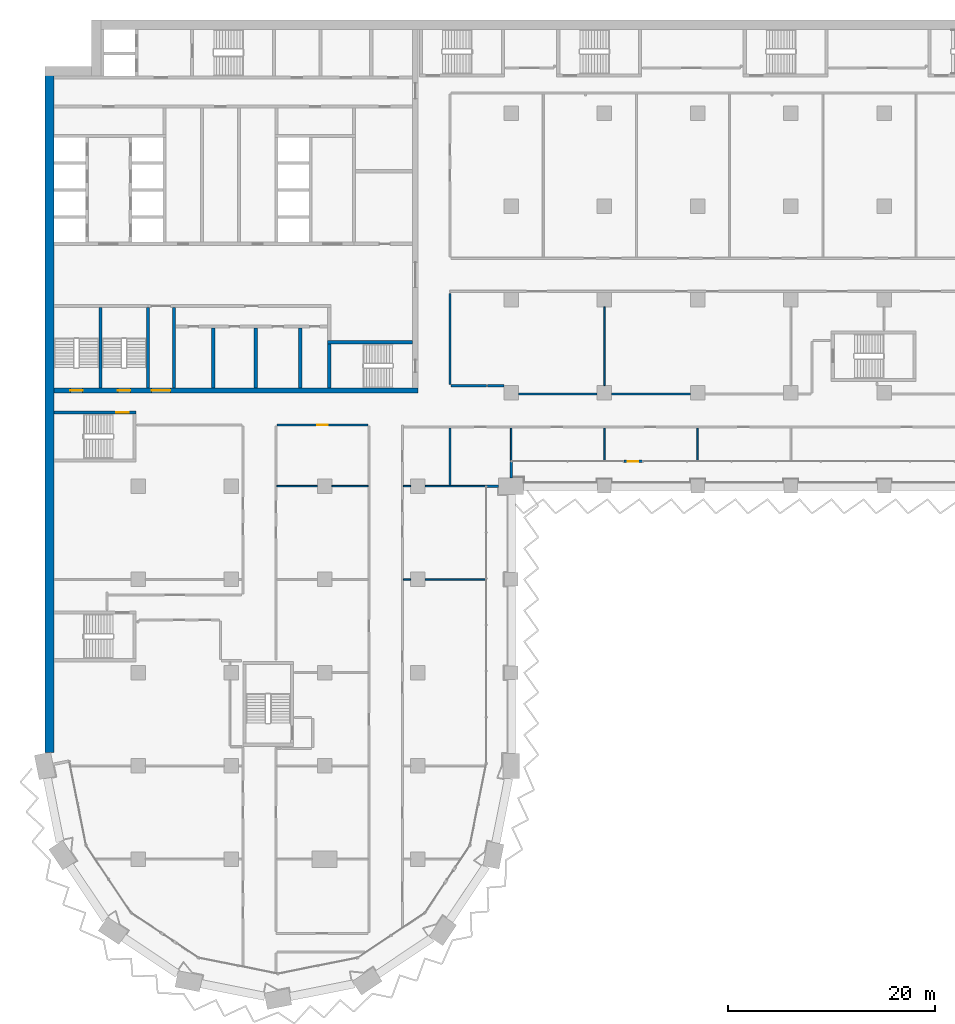
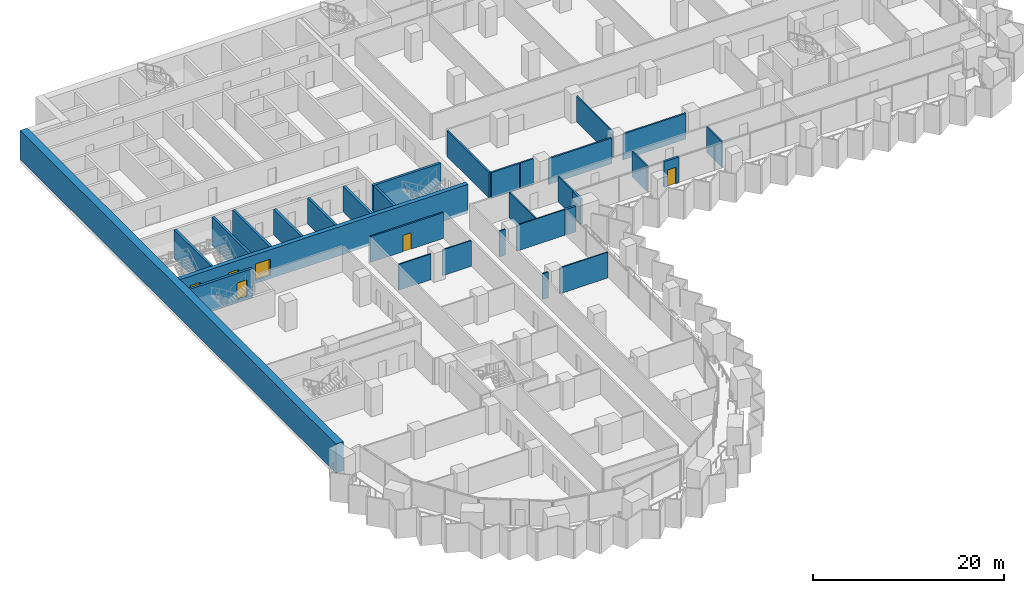
# One storey, part 12 of 29: 31 walls, 6 doors, 6 openings.
"""IFC4 building model written with IfcOpenShell, lengths in metres."""

from ifc_helpers import new_model, si_unit, direction, frame, frame_2d, origin, place, context, subcontext, project, spatial, rectangle, extrude, material, layer, layer_set, type_object, element, fill, save


model = new_model("IFC4")

# Units and contexts
model_context = context("Model", 3, precision=1e-05, world=origin(), true_north=direction((0.0, 1.0)))
body_context = subcontext(model_context, "Body", "Model", "MODEL_VIEW")
ifc_project = project(units=[si_unit("LENGTHUNIT", "METRE"), si_unit("AREAUNIT", "SQUARE_METRE"), si_unit("VOLUMEUNIT", "CUBIC_METRE"), si_unit("PLANEANGLEUNIT", "RADIAN"), si_unit("MASSUNIT", "GRAM", prefix="KILO")], contexts=[model_context])

# Site, building, storey
site_placement = place(None, origin())
site = spatial("IfcSite", under=ifc_project, at=site_placement, CompositionType="ELEMENT")
building_placement = place(site_placement, origin())
building = spatial("IfcBuilding", under=site, at=building_placement, Name="Hunhe Ridgeline Campus", CompositionType="ELEMENT")
storey_placement = place(building_placement, frame((0.0, 0.0, 50.60009765625)))
storey = spatial("IfcBuildingStorey", under=building, at=storey_placement, Name="L11", CompositionType="ELEMENT", Elevation=50.60009765625)

# Walls
ifc_material_1 = material(Name="Masonry concrete blockwork", Category="masonry")
ifc_layer_1 = layer(ifc_material_1, 0.300048828125)
ifc_layer_set_1 = layer_set([ifc_layer_1], Name="Core room partition 300 concrete block")
wall_type_1 = type_object("IfcWallType", Name="Core room partition 300 concrete block", PredefinedType="PARTITIONING", material=ifc_layer_set_1)
wall_1_placement = place(storey_placement, frame((12.449951171875, 63.5, 0.0), z_axis=(0.0, 0.0, 1.0), x_axis=(0.0, 1.0, 0.0)))
element("IfcWall", 1, at=wall_1_placement, inside=storey, type_object=wall_type_1, Name="L11 core partition 45", PredefinedType="PARTITIONING", context=body_context, shape_type="SweptSolid", body=[
    extrude(rectangle(XDim=7.75, YDim=0.300048828125, at=frame_2d((3.875, 0.0))), origin(), (0.0, 0.0, 1.0), 3.2998046875),
])
for number, where, z_axis, x_axis, name in (
    (2, (16.25, 63.5, 0.0), (0.0, 0.0, 1.0), (0.0, 1.0, 0.0), "L11 core partition 48"),
    (3, (20.35009765625, 63.5, 0.0), (0.0, 0.0, 1.0), (0.0, 1.0, 0.0), "L11 core partition 51"),
    (4, (24.64990234375, 63.5, 0.0), (0.0, 0.0, 1.0), (0.0, 1.0, 0.0), "L11 core partition 56"),
):
    element("IfcWall", number, at=place(storey_placement, frame(where, z_axis=z_axis, x_axis=x_axis)), inside=storey, type_object=wall_type_1, Name=name, PredefinedType="PARTITIONING", context=body_context, shape_type="SweptSolid", body=[
        extrude(rectangle(XDim=5.75, YDim=0.300048828125, at=frame_2d((2.875, 0.0))), origin(), (0.0, 0.0, 1.0), 3.2998046875),
    ])

# Wall, openings, doors
ifc_material_2 = material(Name="Concrete C80", Category="concrete")
ifc_layer_2 = layer(ifc_material_2, 0.5)
ifc_layer_set_2 = layer_set([ifc_layer_2], Name="Core wall 500 reinforced concrete C80")
wall_type_2 = type_object("IfcWallType", Name="Core wall 500 reinforced concrete C80", PredefinedType="SOLIDWALL", material=ifc_layer_set_2)
wall_2_placement = place(storey_placement, frame((0.89990234375, 63.25, -0.400146484375), z_axis=(0.0, 0.0, 1.0), x_axis=(1.0, 0.0, 0.0)))
wall_2 = element("IfcWall", 5, at=wall_2_placement, inside=storey, type_object=wall_type_2, Name="L11 core wall 7", PredefinedType="SOLIDWALL", context=body_context, shape_type="SweptSolid", body=[
    extrude(rectangle(XDim=35.10009765625, YDim=0.5, at=frame_2d((17.550048828125, 0.0))), origin(), (0.0, 0.0, 1.0), 3.699951171875),
])
opening_1_placement = place(wall_2_placement, frame((9.39990234375, 0.0, 0.39990234375)))
opening_1 = element("IfcOpeningElement", 6, at=opening_1_placement, cuts=wall_2, Name="Opening CD6", PredefinedType="OPENING", context=body_context, shape_type="SweptSolid", body=[
    extrude(rectangle(XDim=1.800048828125, YDim=2.10009765625, at=frame_2d((0.89990234375, 1.050048828125))), frame((0.0, 0.25, 0.0), z_axis=(0.0, -1.0, 0.0), x_axis=(1.0, 0.0, 0.0)), (0.0, 0.0, 1.0), 0.5),
])
opening_2_placement = place(wall_2_placement, frame((1.550048828125, 0.0, 0.39990234375)))
opening_2 = element("IfcOpeningElement", 7, at=opening_2_placement, cuts=wall_2, Name="Opening CD13", PredefinedType="OPENING", context=body_context, shape_type="SweptSolid", body=[
    extrude(rectangle(XDim=1.199951171875, YDim=2.10009765625, at=frame_2d((0.60009765625, 1.050048828125))), frame((0.0, 0.25, 0.0), z_axis=(0.0, -1.0, 0.0), x_axis=(1.0, 0.0, 0.0)), (0.0, 0.0, 1.0), 0.5),
])
opening_3_placement = place(wall_2_placement, frame((6.14990234375, 0.0, 0.39990234375)))
opening_3 = element("IfcOpeningElement", 8, at=opening_3_placement, cuts=wall_2, Name="Opening CD14", PredefinedType="OPENING", context=body_context, shape_type="SweptSolid", body=[
    extrude(rectangle(XDim=1.199951171875, YDim=2.10009765625, at=frame_2d((0.60009765625, 1.050048828125))), frame((0.0, 0.25, 0.0), z_axis=(0.0, -1.0, 0.0), x_axis=(1.0, 0.0, 0.0)), (0.0, 0.0, 1.0), 0.5),
])
ifc_material_3 = material(Name="Anodised aluminium and glass", Category="aluminium")
door_type_1 = type_object("IfcDoorType", Name="Glazed double door 1800x2100", OperationType="DOUBLE_DOOR_SINGLE_SWING", PredefinedType="DOOR", material=ifc_material_3)
door_1_placement = place(opening_1_placement, frame((1.800048828125, 0.0, 0.0), z_axis=(0.0, 0.0, 1.0), x_axis=(-1.0, 0.0, 0.0)))
door_1 = element("IfcDoor", 9, at=door_1_placement, inside=storey, type_object=door_type_1, Name="L11 door VEST-FLOOR", OperationType="DOUBLE_DOOR_SINGLE_SWING", OverallHeight=2.10009765625, OverallWidth=1.800048828125, PredefinedType="DOOR", context=body_context, shape_type="SweptSolid", body=[
    extrude(rectangle(XDim=1.800048828125, YDim=2.10009765625, at=frame_2d((0.89990234375, 1.050048828125))), frame((0.0, 0.02490234375, 0.0), z_axis=(0.0, -1.0, 0.0), x_axis=(1.0, 0.0, 0.0)), (0.0, 0.0, 1.0), 0.050048828125),
])
fill(opening_1, door_1)
ifc_material_4 = material(Name="Hollow metal fire door leaf")
door_type_2 = type_object("IfcDoorType", Name="Stair door 1200x2100 FD60", OperationType="SINGLE_SWING_LEFT", PredefinedType="DOOR", material=ifc_material_4)
door_2_placement = place(opening_2_placement, frame((1.199951171875, 0.0, 0.0), z_axis=(0.0, 0.0, 1.0), x_axis=(-1.0, 0.0, 0.0)))
door_2 = element("IfcDoor", 10, at=door_2_placement, inside=storey, type_object=door_type_2, Name="L11 door S3", OperationType="SINGLE_SWING_RIGHT", OverallHeight=2.10009765625, OverallWidth=1.199951171875, PredefinedType="DOOR", context=body_context, shape_type="SweptSolid", body=[
    extrude(rectangle(XDim=1.199951171875, YDim=2.10009765625, at=frame_2d((0.60009765625, 1.050048828125))), frame((0.0, 0.02490234375, 0.0), z_axis=(0.0, -1.0, 0.0), x_axis=(1.0, 0.0, 0.0)), (0.0, 0.0, 1.0), 0.050048828125),
])
fill(opening_2, door_2)
door_3_placement = place(opening_3_placement, frame((1.199951171875, 0.0, 0.0), z_axis=(0.0, 0.0, 1.0), x_axis=(-1.0, 0.0, 0.0)))
door_3 = element("IfcDoor", 11, at=door_3_placement, inside=storey, type_object=door_type_2, Name="L11 door S4", OperationType="SINGLE_SWING_LEFT", OverallHeight=2.10009765625, OverallWidth=1.199951171875, PredefinedType="DOOR", context=body_context, shape_type="SweptSolid", body=[
    extrude(rectangle(XDim=1.199951171875, YDim=2.10009765625, at=frame_2d((0.60009765625, 1.050048828125))), frame((0.0, 0.02490234375, 0.0), z_axis=(0.0, -1.0, 0.0), x_axis=(1.0, 0.0, 0.0)), (0.0, 0.0, 1.0), 0.050048828125),
])
fill(opening_3, door_3)

# Walls
ifc_material_5 = material(Name="Concrete C30", Category="concrete")
ifc_layer_3 = layer(ifc_material_5, 0.25)
ifc_layer_set_3 = layer_set([ifc_layer_3], Name="Corner return wall 250 Concrete C30")
wall_type_3 = type_object("IfcWallType", Name="Corner return wall 250 Concrete C30", PredefinedType="SOLIDWALL", material=ifc_layer_set_3)
wall_3_placement = place(storey_placement, frame((42.59912109375, 54.0, 0.0), z_axis=(0.0, 0.0, 1.0), x_axis=(0.999999917344, 0.000406586671, 0.0)))
element("IfcWall", 12, at=wall_3_placement, inside=storey, type_object=wall_type_3, Name="Corner return wall 2", PredefinedType="SOLIDWALL", context=body_context, shape_type="SweptSolid", body=[
    extrude(rectangle(XDim=1.200927734375, YDim=0.25, at=frame_2d((0.6005859375, 0.0))), origin(), (0.0, 0.0, 1.0), 3.2998046875),
])
wall_4_placement = place(storey_placement, frame((44.999267578125, 54.800048828125, 0.0), z_axis=(0.0, 0.0, 1.0), x_axis=(0.000152508767, 0.999999988371, 0.0)))
element("IfcWall", 13, at=wall_4_placement, inside=storey, type_object=wall_type_3, Name="Corner return wall 3", PredefinedType="SOLIDWALL", context=body_context, shape_type="SweptSolid", body=[
    extrude(rectangle(XDim=1.600830078125, YDim=0.25, at=frame_2d((0.80029296875, 0.0))), origin(), (0.0, 0.0, 1.0), 3.2998046875),
])

# Wall, opening, door
ifc_material_6 = material(Name="Gypsum board partition")
ifc_layer_4 = layer(ifc_material_6, 0.199951171875)
ifc_layer_set_4 = layer_set([ifc_layer_4], Name="Corridor partition 200 gypsum board on steel studs")
wall_type_4 = type_object("IfcWallType", Name="Corridor partition 200 gypsum board on steel studs", PredefinedType="PARTITIONING", material=ifc_layer_set_4)
wall_5_placement = place(storey_placement, frame((31.199951171875, 59.89990234375, 0.0), z_axis=(0.0, 0.0, 1.0), x_axis=(-1.0, 0.0, 0.0)))
wall_5 = element("IfcWall", 14, at=wall_5_placement, inside=storey, type_object=wall_type_4, Name="F-L11-wall-039", PredefinedType="PARTITIONING", context=body_context, shape_type="SweptSolid", body=[
    extrude(rectangle(XDim=8.800048828125, YDim=0.199951171875, at=frame_2d((4.39990234375, 0.0))), origin(), (0.0, 0.0, 1.0), 3.2998046875),
])
opening_4_placement = place(wall_5_placement, frame((3.89990234375, 0.0, 0.0)))
opening_4 = element("IfcOpeningElement", 15, at=opening_4_placement, cuts=wall_5, Name="Opening RD1-028", PredefinedType="OPENING", context=body_context, shape_type="SweptSolid", body=[
    extrude(rectangle(XDim=1.0, YDim=2.10009765625, at=frame_2d((0.5, 1.050048828125))), frame((0.0, 0.10009765625, 0.0), z_axis=(0.0, -1.0, 0.0), x_axis=(1.0, 0.0, 0.0)), (0.0, 0.0, 1.0), 0.199951171875),
])
ifc_material_7 = material(Name="Timber door leaf", Category="wood")
door_type_3 = type_object("IfcDoorType", Name="Single fire door 1000x2100 timber FD60", OperationType="NOTDEFINED", PredefinedType="DOOR", material=ifc_material_7)
door_4_placement = place(opening_4_placement, origin())
door_4 = element("IfcDoor", 16, at=door_4_placement, inside=storey, type_object=door_type_3, Name="F-L11-door-028", OperationType="SINGLE_SWING_LEFT", OverallHeight=2.10009765625, OverallWidth=1.0, PredefinedType="DOOR", context=body_context, shape_type="SweptSolid", body=[
    extrude(rectangle(XDim=1.0, YDim=2.10009765625, at=frame_2d((0.5, 1.050048828125))), frame((0.0, 0.02490234375, 0.0), z_axis=(0.0, -1.0, 0.0), x_axis=(1.0, 0.0, 0.0)), (0.0, 0.0, 1.0), 0.050048828125),
])
fill(opening_4, door_4)

# Walls
for number, where, z_axis, x_axis, name in (
    (17, (45.699951171875, 62.89990234375, 0.0), (0.0, 0.0, 1.0), (1.0, 0.0, 0.0), "F-L11-wall-040"),
    (18, (54.699951171875, 62.89990234375, 0.0), (0.0, 0.0, 1.0), (1.0, 0.0, 0.0), "F-L11-wall-041"),
):
    element("IfcWall", number, at=place(storey_placement, frame(where, z_axis=z_axis, x_axis=x_axis)), inside=storey, type_object=wall_type_4, Name=name, PredefinedType="PARTITIONING", context=body_context, shape_type="SweptSolid", body=[
        extrude(rectangle(XDim=7.60009765625, YDim=0.199951171875, at=frame_2d((3.800048828125, 0.0))), origin(), (0.0, 0.0, 1.0), 3.2998046875),
    ])
wall_6_placement = place(storey_placement, frame((39.199951171875, 63.699951171875, 0.0), z_axis=(0.0, 0.0, 1.0), x_axis=(1.0, 0.0, 0.0)))
element("IfcWall", 19, at=wall_6_placement, inside=storey, type_object=wall_type_4, Name="F-L11-wall-046", PredefinedType="PARTITIONING", context=body_context, shape_type="SweptSolid", body=[
    extrude(rectangle(XDim=3.400146484375, YDim=0.199951171875, at=frame_2d((1.7001953125, 0.0))), origin(), (0.0, 0.0, 1.0), 3.2998046875),
])
wall_7_placement = place(storey_placement, frame((42.699951171875, 63.699951171875, 0.0), z_axis=(0.0, 0.0, 1.0), x_axis=(1.0, 0.0, 0.0)))
element("IfcWall", 20, at=wall_7_placement, inside=storey, type_object=wall_type_4, Name="F-L11-wall-047", PredefinedType="PARTITIONING", context=body_context, shape_type="SweptSolid", body=[
    extrude(rectangle(XDim=1.60009765625, YDim=0.199951171875, at=frame_2d((0.800048828125, 0.0))), origin(), (0.0, 0.0, 1.0), 3.2998046875),
])
wall_8_placement = place(storey_placement, frame((39.10009765625, 72.60888671875, 0.0), z_axis=(0.0, 0.0, 1.0), x_axis=(0.0, -1.0, 0.0)))
element("IfcWall", 21, at=wall_8_placement, inside=storey, type_object=wall_type_4, Name="F-L11-wall-069", PredefinedType="PARTITIONING", context=body_context, shape_type="SweptSolid", body=[
    extrude(rectangle(XDim=8.808837890625, YDim=0.199951171875, at=frame_2d((4.404296875, 0.0))), origin(), (0.0, 0.0, 1.0), 3.2998046875),
])

# Wall, opening, door
ifc_layer_5 = layer(ifc_material_5, 0.25)
ifc_layer_set_5 = layer_set([ifc_layer_5], Name="Loggia door pier wall 250 Concrete C30")
wall_type_5 = type_object("IfcWallType", Name="Loggia door pier wall 250 Concrete C30", PredefinedType="SOLIDWALL", material=ifc_layer_set_5)
wall_9_placement = place(storey_placement, frame((55.874267578125, 56.40087890625, 0.0), z_axis=(0.0, 0.0, 1.0), x_axis=(1.0, 0.0, 0.0)))
wall_9 = element("IfcWall", 22, at=wall_9_placement, inside=storey, type_object=wall_type_5, Name="Loggia door pier 3", PredefinedType="SOLIDWALL", context=body_context, shape_type="SweptSolid", body=[
    extrude(rectangle(XDim=1.800048828125, YDim=0.25, at=frame_2d((0.89990234375, 0.0))), origin(), (0.0, 0.0, 1.0), 3.2998046875),
])
opening_5_placement = place(wall_9_placement, frame((0.39990234375, 0.0, 0.0)))
opening_5 = element("IfcOpeningElement", 23, at=opening_5_placement, cuts=wall_9, Name="Opening BD106", PredefinedType="OPENING", context=body_context, shape_type="SweptSolid", body=[
    extrude(rectangle(XDim=1.0, YDim=2.10009765625, at=frame_2d((0.5, 1.050048828125))), frame((0.0, 0.125, 0.0), z_axis=(0.0, -1.0, 0.0), x_axis=(1.0, 0.0, 0.0)), (0.0, 0.0, 1.0), 0.25),
])
ifc_material_8 = material(Name="Aluminium 6063", Category="aluminium")
door_type_4 = type_object("IfcDoorType", Name="Loggia glazed door 1000x2100", OperationType="NOTDEFINED", PredefinedType="DOOR", material=ifc_material_8)
door_5_placement = place(opening_5_placement, frame((1.0, 0.0, 0.0), z_axis=(0.0, 0.0, 1.0), x_axis=(-1.0, 0.0, 0.0)))
door_5 = element("IfcDoor", 24, at=door_5_placement, inside=storey, type_object=door_type_4, Name="Loggia door BD106", OperationType="SINGLE_SWING_LEFT", OverallHeight=2.10009765625, OverallWidth=1.0, PredefinedType="DOOR", context=body_context, shape_type="SweptSolid", body=[
    extrude(rectangle(XDim=1.0, YDim=2.10009765625, at=frame_2d((0.5, 1.050048828125))), frame((0.0, 0.02490234375, 0.0), z_axis=(0.0, -1.0, 0.0), x_axis=(1.0, 0.0, 0.0)), (0.0, 0.0, 1.0), 0.050048828125),
])
fill(opening_5, door_5)

# Walls
ifc_layer_6 = layer(ifc_material_6, 0.14990234375)
ifc_layer_set_6 = layer_set([ifc_layer_6], Name="Room partition 150 gypsum board on steel studs")
wall_type_6 = type_object("IfcWallType", Name="Room partition 150 gypsum board on steel studs", PredefinedType="PARTITIONING", material=ifc_layer_set_6)
wall_10_placement = place(storey_placement, frame((34.60009765625, 45.0, 0.0), z_axis=(0.0, 0.0, 1.0), x_axis=(1.0, 0.0, 0.0)))
element("IfcWall", 25, at=wall_10_placement, inside=storey, type_object=wall_type_6, Name="F-L11-wall-031", PredefinedType="PARTITIONING", context=body_context, shape_type="SweptSolid", body=[
    extrude(rectangle(XDim=0.699951171875, YDim=0.14990234375, at=frame_2d((0.35009765625, 0.0))), origin(), (0.0, 0.0, 1.0), 3.2998046875),
])
wall_11_placement = place(storey_placement, frame((36.699951171875, 45.0, 0.0), z_axis=(0.0, 0.0, 1.0), x_axis=(1.0, 0.0, 0.0)))
element("IfcWall", 26, at=wall_11_placement, inside=storey, type_object=wall_type_6, Name="F-L11-wall-032", PredefinedType="PARTITIONING", context=body_context, shape_type="SweptSolid", body=[
    extrude(rectangle(XDim=5.844970703125, YDim=0.14990234375, at=frame_2d((2.92236328125, 0.0))), origin(), (0.0, 0.0, 1.0), 3.2998046875),
])
wall_12_placement = place(storey_placement, frame((22.39990234375, 54.0, 0.0), z_axis=(0.0, 0.0, 1.0), x_axis=(1.0, 0.0, 0.0)))
element("IfcWall", 27, at=wall_12_placement, inside=storey, type_object=wall_type_6, Name="F-L11-wall-033", PredefinedType="PARTITIONING", context=body_context, shape_type="SweptSolid", body=[
    extrude(rectangle(XDim=3.900146484375, YDim=0.14990234375, at=frame_2d((1.9501953125, 0.0))), origin(), (0.0, 0.0, 1.0), 3.2998046875),
])
wall_13_placement = place(storey_placement, frame((27.699951171875, 54.0, 0.0), z_axis=(0.0, 0.0, 1.0), x_axis=(1.0, 0.0, 0.0)))
element("IfcWall", 28, at=wall_13_placement, inside=storey, type_object=wall_type_6, Name="F-L11-wall-034", PredefinedType="PARTITIONING", context=body_context, shape_type="SweptSolid", body=[
    extrude(rectangle(XDim=3.5, YDim=0.14990234375, at=frame_2d((1.75, 0.0))), origin(), (0.0, 0.0, 1.0), 3.2998046875),
])
wall_14_placement = place(storey_placement, frame((34.60009765625, 54.0, 0.0), z_axis=(0.0, 0.0, 1.0), x_axis=(1.0, 0.0, 0.0)))
element("IfcWall", 29, at=wall_14_placement, inside=storey, type_object=wall_type_6, Name="F-L11-wall-035", PredefinedType="PARTITIONING", context=body_context, shape_type="SweptSolid", body=[
    extrude(rectangle(XDim=0.699951171875, YDim=0.14990234375, at=frame_2d((0.35009765625, 0.0))), origin(), (0.0, 0.0, 1.0), 3.2998046875),
])
wall_15_placement = place(storey_placement, frame((36.699951171875, 54.0, 0.0), z_axis=(0.0, 0.0, 1.0), x_axis=(1.0, 0.0, 0.0)))
element("IfcWall", 30, at=wall_15_placement, inside=storey, type_object=wall_type_6, Name="F-L11-wall-036", PredefinedType="PARTITIONING", context=body_context, shape_type="SweptSolid", body=[
    extrude(rectangle(XDim=5.844970703125, YDim=0.14990234375, at=frame_2d((2.92236328125, 0.0))), origin(), (0.0, 0.0, 1.0), 3.2998046875),
])
wall_16_placement = place(storey_placement, frame((39.10009765625, 59.60009765625, 0.0), z_axis=(0.0, 0.0, 1.0), x_axis=(0.0, -1.0, 0.0)))
element("IfcWall", 31, at=wall_16_placement, inside=storey, type_object=wall_type_6, Name="F-L11-wall-068", PredefinedType="PARTITIONING", context=body_context, shape_type="SweptSolid", body=[
    extrude(rectangle(XDim=5.525146484375, YDim=0.14990234375, at=frame_2d((2.7626953125, 0.0))), origin(), (0.0, 0.0, 1.0), 3.2998046875),
])
for number, where, z_axis, x_axis, name in (
    (32, (45.0, 59.60009765625, 0.0), (0.0, 0.0, 1.0), (0.0, -1.0, 0.0), "F-L11-wall-071"),
    (33, (54.0, 59.60009765625, 0.0), (0.0, 0.0, 1.0), (0.0, -1.0, 0.0), "F-L11-wall-075"),
):
    element("IfcWall", number, at=place(storey_placement, frame(where, z_axis=z_axis, x_axis=x_axis)), inside=storey, type_object=wall_type_6, Name=name, PredefinedType="PARTITIONING", context=body_context, shape_type="SweptSolid", body=[
        extrude(rectangle(XDim=3.145263671875, YDim=0.14990234375, at=frame_2d((1.57275390625, 0.0))), origin(), (0.0, 0.0, 1.0), 3.2998046875),
    ])
wall_17_placement = place(storey_placement, frame((54.0, 71.300048828125, 0.0), z_axis=(0.0, 0.0, 1.0), x_axis=(0.0, -1.0, 0.0)))
element("IfcWall", 34, at=wall_17_placement, inside=storey, type_object=wall_type_6, Name="F-L11-wall-076", PredefinedType="PARTITIONING", context=body_context, shape_type="SweptSolid", body=[
    extrude(rectangle(XDim=7.60009765625, YDim=0.14990234375, at=frame_2d((3.800048828125, 0.0))), origin(), (0.0, 0.0, 1.0), 3.2998046875),
])
wall_18_placement = place(storey_placement, frame((63.0, 59.60009765625, 0.0), z_axis=(0.0, 0.0, 1.0), x_axis=(0.0, -1.0, 0.0)))
element("IfcWall", 35, at=wall_18_placement, inside=storey, type_object=wall_type_6, Name="F-L11-wall-078", PredefinedType="PARTITIONING", context=body_context, shape_type="SweptSolid", body=[
    extrude(rectangle(XDim=3.145263671875, YDim=0.14990234375, at=frame_2d((1.57275390625, 0.0))), origin(), (0.0, 0.0, 1.0), 3.2998046875),
])
ifc_layer_7 = layer(ifc_material_2, 0.89990234375)
ifc_layer_set_7 = layer_set([ifc_layer_7], Name="Spine wall 900 Concrete C80")
wall_type_7 = type_object("IfcWallType", Name="Spine wall 900 Concrete C80", PredefinedType="SHEAR", material=ifc_layer_set_7)
wall_19_placement = place(storey_placement, frame((0.449951171875, 94.5, 0.0), z_axis=(0.0, 0.0, 1.0), x_axis=(0.0, -1.0, 0.0)))
element("IfcWall", 36, at=wall_19_placement, inside=storey, type_object=wall_type_7, Name="Spine wall SW1-1 L11", PredefinedType="SHEAR", context=body_context, shape_type="SweptSolid", body=[
    extrude(rectangle(XDim=66.18701171875, YDim=0.89990234375, at=frame_2d((33.093505859375, 0.0))), origin(), (0.0, 0.0, 1.0), 3.699951171875),
])

# Wall, opening, door
ifc_layer_8 = layer(ifc_material_2, 0.300048828125)
ifc_layer_set_8 = layer_set([ifc_layer_8], Name="Stair wall 300 reinforced concrete C80")
wall_type_8 = type_object("IfcWallType", Name="Stair wall 300 reinforced concrete C80", PredefinedType="SOLIDWALL", material=ifc_layer_set_8)
wall_20_placement = place(storey_placement, frame((0.89990234375, 61.10009765625, -0.400146484375), z_axis=(0.0, 0.0, 1.0), x_axis=(1.0, 0.0, 0.0)))
wall_20 = element("IfcWall", 37, at=wall_20_placement, inside=storey, type_object=wall_type_8, Name="L11 core wall 6", PredefinedType="SOLIDWALL", context=body_context, shape_type="SweptSolid", body=[
    extrude(rectangle(XDim=7.900146484375, YDim=0.300048828125, at=frame_2d((3.9501953125, 0.0))), origin(), (0.0, 0.0, 1.0), 3.699951171875),
])
opening_6_placement = place(wall_20_placement, frame((6.0, 0.0, 0.39990234375)))
opening_6 = element("IfcOpeningElement", 38, at=opening_6_placement, cuts=wall_20, Name="Opening CD22", PredefinedType="OPENING", context=body_context, shape_type="SweptSolid", body=[
    extrude(rectangle(XDim=1.199951171875, YDim=2.10009765625, at=frame_2d((0.60009765625, 1.050048828125))), frame((0.0, 0.14990234375, 0.0), z_axis=(0.0, -1.0, 0.0), x_axis=(1.0, 0.0, 0.0)), (0.0, 0.0, 1.0), 0.300048828125),
])
door_6_placement = place(opening_6_placement, origin())
door_6 = element("IfcDoor", 39, at=door_6_placement, inside=storey, type_object=door_type_2, Name="L11 door W2", OperationType="SINGLE_SWING_RIGHT", OverallHeight=2.10009765625, OverallWidth=1.199951171875, PredefinedType="DOOR", context=body_context, shape_type="SweptSolid", body=[
    extrude(rectangle(XDim=1.199951171875, YDim=2.10009765625, at=frame_2d((0.60009765625, 1.050048828125))), frame((0.0, 0.02490234375, 0.0), z_axis=(0.0, -1.0, 0.0), x_axis=(1.0, 0.0, 0.0)), (0.0, 0.0, 1.0), 0.050048828125),
])
fill(opening_6, door_6)

# Walls
wall_21_placement = place(storey_placement, frame((27.300048828125, 67.89990234375, -0.400146484375), z_axis=(0.0, 0.0, 1.0), x_axis=(1.0, 0.0, 0.0)))
element("IfcWall", 40, at=wall_21_placement, inside=storey, type_object=wall_type_8, Name="L11 core wall 9", PredefinedType="SOLIDWALL", context=body_context, shape_type="SweptSolid", body=[
    extrude(rectangle(XDim=8.199951171875, YDim=0.300048828125, at=frame_2d((4.10009765625, 0.0))), origin(), (0.0, 0.0, 1.0), 3.699951171875),
])
for number, where, z_axis, x_axis, name in (
    (41, (5.35009765625, 63.5, -0.400146484375), (0.0, 0.0, 1.0), (0.0, 1.0, 0.0), "L11 core wall 36"),
    (42, (9.949951171875, 63.5, -0.400146484375), (0.0, 0.0, 1.0), (0.0, 1.0, 0.0), "L11 core wall 42"),
):
    element("IfcWall", number, at=place(storey_placement, frame(where, z_axis=z_axis, x_axis=x_axis)), inside=storey, type_object=wall_type_8, Name=name, PredefinedType="SOLIDWALL", context=body_context, shape_type="SweptSolid", body=[
        extrude(rectangle(XDim=7.75, YDim=0.300048828125, at=frame_2d((3.875, 0.0))), origin(), (0.0, 0.0, 1.0), 3.699951171875),
    ])
wall_22_placement = place(storey_placement, frame((27.449951171875, 63.5, -0.400146484375), z_axis=(0.0, 0.0, 1.0), x_axis=(0.0, 1.0, 0.0)))
element("IfcWall", 43, at=wall_22_placement, inside=storey, type_object=wall_type_8, Name="L11 core wall 59", PredefinedType="SOLIDWALL", context=body_context, shape_type="SweptSolid", body=[
    extrude(rectangle(XDim=4.25, YDim=0.300048828125, at=frame_2d((2.125, 0.0))), origin(), (0.0, 0.0, 1.0), 3.699951171875),
])

save(model, "model.ifc")
